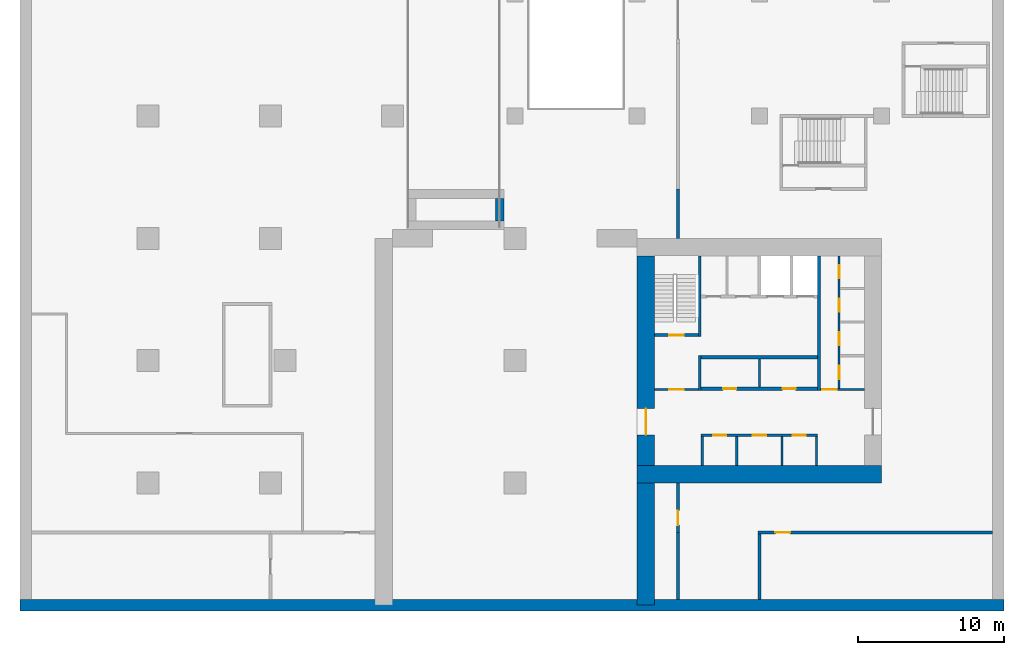
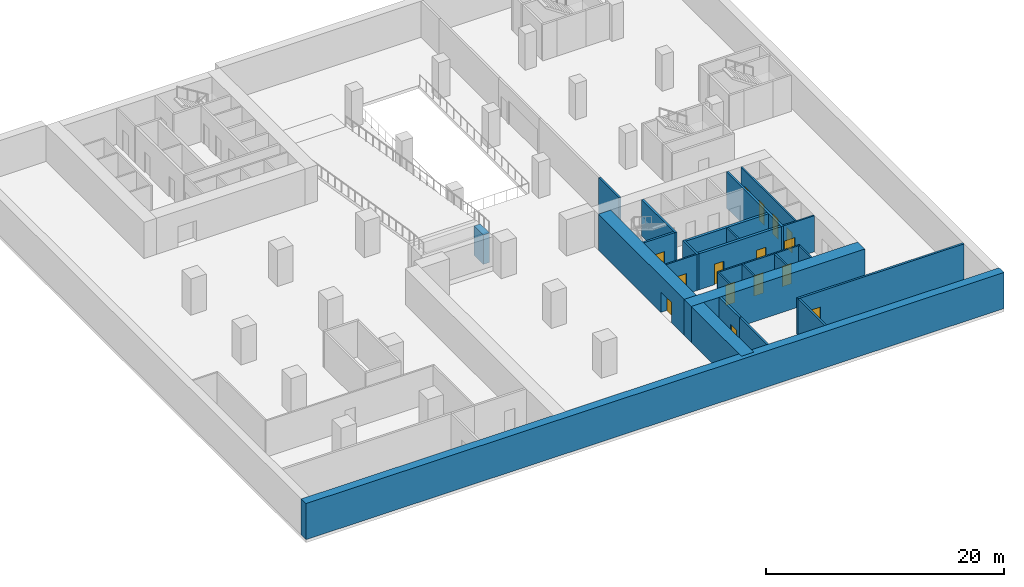
# One storey, part 3 of 7: 25 walls, 15 doors, 15 openings.
"""IFC4 building model written with IfcOpenShell, lengths in metres."""

from ifc_helpers import new_model, si_unit, direction, frame, frame_2d, origin, place, context, subcontext, project, spatial, rectangle, extrude, material, layer, layer_set, type_object, element, fill, save


model = new_model("IFC4")

# Units and contexts
model_context = context("Model", 3, precision=1e-05, world=origin(), true_north=direction((0.0, 1.0)))
body_context = subcontext(model_context, "Body", "Model", "MODEL_VIEW")
ifc_project = project(units=[si_unit("LENGTHUNIT", "METRE"), si_unit("AREAUNIT", "SQUARE_METRE"), si_unit("VOLUMEUNIT", "CUBIC_METRE"), si_unit("PLANEANGLEUNIT", "RADIAN"), si_unit("MASSUNIT", "GRAM", prefix="KILO")], contexts=[model_context])

# Site, building, storey
site_placement = place(None, origin())
site = spatial("IfcSite", under=ifc_project, at=site_placement, CompositionType="ELEMENT")
building_placement = place(site_placement, origin())
building = spatial("IfcBuilding", under=site, at=building_placement, Name="Vermilion Gate Residences", CompositionType="ELEMENT")
storey_placement = place(building_placement, frame((0.0, 0.0, -12.0)))
storey = spatial("IfcBuildingStorey", under=building, at=storey_placement, Name="B3", CompositionType="ELEMENT", Elevation=-12.0)

# Walls
ifc_material_1 = material(Name="Masonry blockwork", Category="masonry")
ifc_layer_1 = layer(ifc_material_1, 0.14990234375)
ifc_layer_set_1 = layer_set([ifc_layer_1], Name="BLOCKWORK PARTITION 150 EI 120")
wall_type_1 = type_object("IfcWallType", Name="BLOCKWORK PARTITION 150 EI 120", PredefinedType="PARTITIONING", material=ifc_layer_set_1)
for number, where, z_axis, x_axis, name in (
    (1, (46.47509765625, 9.60009765625, 0.0), (0.0, 0.0, 1.0), (0.0, 1.0, 0.0), "Core room partition AB3-RW-W"),
    (2, (54.324951171875, 9.60009765625, 0.0), (0.0, 0.0, 1.0), (0.0, 1.0, 0.0), "Core room partition AB3-RW-E"),
    (3, (48.844970703125, 9.60009765625, 0.0), (0.0, 0.0, 1.0), (0.0, 1.0, 0.0), "Core room partition AB3-SR-P0"),
    (4, (51.955078125, 9.60009765625, 0.0), (0.0, 0.0, 1.0), (0.0, 1.0, 0.0), "Core room partition AB3-SR-P1"),
):
    element("IfcWall", number, at=place(storey_placement, frame(where, z_axis=z_axis, x_axis=x_axis)), inside=storey, type_object=wall_type_1, Name=name, PredefinedType="PARTITIONING", context=body_context, shape_type="SweptSolid", body=[
        extrude(rectangle(XDim=2.0, YDim=0.14990234375, at=frame_2d((1.0, 0.0))), origin(), (0.0, 0.0, 1.0), 3.699951171875),
    ])

# Wall, openings, doors
wall_1_placement = place(storey_placement, frame((46.39990234375, 11.675048828125, 0.0), z_axis=(0.0, 0.0, 1.0), x_axis=(1.0, 0.0, 0.0)))
wall_1 = element("IfcWall", 5, at=wall_1_placement, inside=storey, type_object=wall_type_1, Name="Core room partition AB3-LR-F", PredefinedType="PARTITIONING", context=body_context, shape_type="SweptSolid", body=[
    extrude(rectangle(XDim=8.0, YDim=0.14990234375, at=frame_2d((4.0, 0.0))), origin(), (0.0, 0.0, 1.0), 3.699951171875),
])
opening_1_placement = place(wall_1_placement, frame((0.81005859375, 0.0, 0.0)))
opening_1 = element("IfcOpeningElement", 6, at=opening_1_placement, cuts=wall_1, Name="Opening DKB3003", PredefinedType="OPENING", context=body_context, shape_type="SweptSolid", body=[
    extrude(rectangle(XDim=0.89990234375, YDim=2.10009765625, at=frame_2d((0.449951171875, 1.050048828125))), frame((0.0, 0.0849609375, 0.0), z_axis=(0.0, -1.0, 0.0), x_axis=(1.0, 0.0, 0.0)), (0.0, 0.0, 1.0), 0.169921875),
])
opening_2_placement = place(wall_1_placement, frame((3.550048828125, 0.0, 0.0)))
opening_2 = element("IfcOpeningElement", 7, at=opening_2_placement, cuts=wall_1, Name="Opening DKB3004", PredefinedType="OPENING", context=body_context, shape_type="SweptSolid", body=[
    extrude(rectangle(XDim=0.89990234375, YDim=2.10009765625, at=frame_2d((0.449951171875, 1.050048828125))), frame((0.0, 0.0849609375, 0.0), z_axis=(0.0, -1.0, 0.0), x_axis=(1.0, 0.0, 0.0)), (0.0, 0.0, 1.0), 0.169921875),
])
opening_3_placement = place(wall_1_placement, frame((6.2900390625, 0.0, 0.0)))
opening_3 = element("IfcOpeningElement", 8, at=opening_3_placement, cuts=wall_1, Name="Opening DKB3005", PredefinedType="OPENING", context=body_context, shape_type="SweptSolid", body=[
    extrude(rectangle(XDim=0.89990234375, YDim=2.10009765625, at=frame_2d((0.449951171875, 1.050048828125))), frame((0.0, 0.0849609375, 0.0), z_axis=(0.0, -1.0, 0.0), x_axis=(1.0, 0.0, 0.0)), (0.0, 0.0, 1.0), 0.169921875),
])
ifc_material_2 = material(Name="Steel", Category="steel")
door_type_1 = type_object("IfcDoorType", Name="SERVICE ROOM DOOR FD60 900 X 2100", OperationType="SINGLE_SWING_LEFT", PredefinedType="DOOR", material=ifc_material_2)
door_1_placement = place(opening_1_placement, frame((0.89990234375, 0.0, 0.0), z_axis=(0.0, 0.0, 1.0), x_axis=(-1.0, 0.0, 0.0)))
door_1 = element("IfcDoor", 9, at=door_1_placement, inside=storey, type_object=door_type_1, Name="Housekeeping store AB3", OperationType="SINGLE_SWING_RIGHT", OverallHeight=2.10009765625, OverallWidth=0.89990234375, PredefinedType="DOOR", context=body_context, shape_type="SweptSolid", body=[
    extrude(rectangle(XDim=0.89990234375, YDim=2.10009765625, at=frame_2d((0.449951171875, 1.050048828125))), frame((0.0, 0.02490234375, 0.0), z_axis=(0.0, -1.0, 0.0), x_axis=(1.0, 0.0, 0.0)), (0.0, 0.0, 1.0), 0.050048828125),
])
fill(opening_1, door_1)
door_2_placement = place(opening_2_placement, frame((0.89990234375, 0.0, 0.0), z_axis=(0.0, 0.0, 1.0), x_axis=(-1.0, 0.0, 0.0)))
door_2 = element("IfcDoor", 10, at=door_2_placement, inside=storey, type_object=door_type_1, Name="Fire equipment store AB3", OperationType="SINGLE_SWING_RIGHT", OverallHeight=2.10009765625, OverallWidth=0.89990234375, PredefinedType="DOOR", context=body_context, shape_type="SweptSolid", body=[
    extrude(rectangle(XDim=0.89990234375, YDim=2.10009765625, at=frame_2d((0.449951171875, 1.050048828125))), frame((0.0, 0.02490234375, 0.0), z_axis=(0.0, -1.0, 0.0), x_axis=(1.0, 0.0, 0.0)), (0.0, 0.0, 1.0), 0.050048828125),
])
fill(opening_2, door_2)
door_3_placement = place(opening_3_placement, frame((0.89990234375, 0.0, 0.0), z_axis=(0.0, 0.0, 1.0), x_axis=(-1.0, 0.0, 0.0)))
door_3 = element("IfcDoor", 11, at=door_3_placement, inside=storey, type_object=door_type_1, Name="Mail room AB3", OperationType="SINGLE_SWING_RIGHT", OverallHeight=2.10009765625, OverallWidth=0.89990234375, PredefinedType="DOOR", context=body_context, shape_type="SweptSolid", body=[
    extrude(rectangle(XDim=0.89990234375, YDim=2.10009765625, at=frame_2d((0.449951171875, 1.050048828125))), frame((0.0, 0.02490234375, 0.0), z_axis=(0.0, -1.0, 0.0), x_axis=(1.0, 0.0, 0.0)), (0.0, 0.0, 1.0), 0.050048828125),
])
fill(opening_3, door_3)

# Wall
wall_2_placement = place(storey_placement, frame((50.39990234375, 15.0, 0.0), z_axis=(0.0, 0.0, 1.0), x_axis=(0.0, 1.0, 0.0)))
element("IfcWall", 12, at=wall_2_placement, inside=storey, type_object=wall_type_1, Name="Core room partition AB3-HR-P0", PredefinedType="PARTITIONING", context=body_context, shape_type="SweptSolid", body=[
    extrude(rectangle(XDim=1.89990234375, YDim=0.14990234375, at=frame_2d((0.949951171875, 0.0))), origin(), (0.0, 0.0, 1.0), 3.699951171875),
])

# Wall, opening, door
wall_3_placement = place(storey_placement, frame((43.199951171875, 14.824951171875, 0.0), z_axis=(0.0, 0.0, 1.0), x_axis=(1.0, 0.0, 0.0)))
wall_3 = element("IfcWall", 13, at=wall_3_placement, inside=storey, type_object=wall_type_1, Name="Core room partition AB3-VW-S", PredefinedType="PARTITIONING", context=body_context, shape_type="SweptSolid", body=[
    extrude(rectangle(XDim=3.0, YDim=0.14990234375, at=frame_2d((1.5, 0.0))), origin(), (0.0, 0.0, 1.0), 3.699951171875),
])
opening_4_placement = place(wall_3_placement, frame((1.0, 0.0, 0.0)))
opening_4 = element("IfcOpeningElement", 14, at=opening_4_placement, cuts=wall_3, Name="Opening DKB3012", PredefinedType="OPENING", context=body_context, shape_type="SweptSolid", body=[
    extrude(rectangle(XDim=1.0, YDim=2.10009765625, at=frame_2d((0.5, 1.050048828125))), frame((0.0, 0.0849609375, 0.0), z_axis=(0.0, -1.0, 0.0), x_axis=(1.0, 0.0, 0.0)), (0.0, 0.0, 1.0), 0.169921875),
])
ifc_material_3 = material(Name="Steel", Category="steel")
door_type_2 = type_object("IfcDoorType", Name="FIRE DOOR FD60 1000 X 2100", OperationType="SINGLE_SWING_LEFT", PredefinedType="DOOR", material=ifc_material_3)
door_4_placement = place(opening_4_placement, frame((1.0, 0.0, 0.0), z_axis=(0.0, 0.0, 1.0), x_axis=(-1.0, 0.0, 0.0)))
door_4 = element("IfcDoor", 15, at=door_4_placement, inside=storey, type_object=door_type_2, Name="Stair vestibule door AB3", OperationType="SINGLE_SWING_RIGHT", OverallHeight=2.10009765625, OverallWidth=1.0, PredefinedType="DOOR", context=body_context, shape_type="SweptSolid", body=[
    extrude(rectangle(XDim=1.0, YDim=2.10009765625, at=frame_2d((0.5, 1.050048828125))), frame((0.0, 0.02490234375, 0.0), z_axis=(0.0, -1.0, 0.0), x_axis=(1.0, 0.0, 0.0)), (0.0, 0.0, 1.0), 0.050048828125),
])
fill(opening_4, door_4)

wall_4_placement = place(storey_placement, frame((54.60009765625, 14.824951171875, 0.0), z_axis=(0.0, 0.0, 1.0), x_axis=(1.0, 0.0, 0.0)))
wall_4 = element("IfcWall", 16, at=wall_4_placement, inside=storey, type_object=wall_type_1, Name="Core room partition AB3-ES-S", PredefinedType="PARTITIONING", context=body_context, shape_type="SweptSolid", body=[
    extrude(rectangle(XDim=3.0, YDim=0.14990234375, at=frame_2d((1.5, 0.0))), origin(), (0.0, 0.0, 1.0), 3.699951171875),
])
opening_5_placement = place(wall_4_placement, frame((0.10009765625, 0.0, 0.0)))
opening_5 = element("IfcOpeningElement", 17, at=opening_5_placement, cuts=wall_4, Name="Opening DKB3014", PredefinedType="OPENING", context=body_context, shape_type="SweptSolid", body=[
    extrude(rectangle(XDim=1.0, YDim=2.10009765625, at=frame_2d((0.5, 1.050048828125))), frame((0.0, 0.0849609375, 0.0), z_axis=(0.0, -1.0, 0.0), x_axis=(1.0, 0.0, 0.0)), (0.0, 0.0, 1.0), 0.169921875),
])
door_5_placement = place(opening_5_placement, frame((1.0, 0.0, 0.0), z_axis=(0.0, 0.0, 1.0), x_axis=(-1.0, 0.0, 0.0)))
door_5 = element("IfcDoor", 18, at=door_5_placement, inside=storey, type_object=door_type_2, Name="Service corridor door AB3", OperationType="SINGLE_SWING_LEFT", OverallHeight=2.10009765625, OverallWidth=1.0, PredefinedType="DOOR", context=body_context, shape_type="SweptSolid", body=[
    extrude(rectangle(XDim=1.0, YDim=2.10009765625, at=frame_2d((0.5, 1.050048828125))), frame((0.0, 0.02490234375, 0.0), z_axis=(0.0, -1.0, 0.0), x_axis=(1.0, 0.0, 0.0)), (0.0, 0.0, 1.0), 0.050048828125),
])
fill(opening_5, door_5)

# Wall, openings, doors
wall_5_placement = place(storey_placement, frame((55.875, 14.89990234375, 0.0), z_axis=(0.0, 0.0, 1.0), x_axis=(0.0, 1.0, 0.0)))
wall_5 = element("IfcWall", 19, at=wall_5_placement, inside=storey, type_object=wall_type_1, Name="Core room partition AB3-ES-W", PredefinedType="PARTITIONING", context=body_context, shape_type="SweptSolid", body=[
    extrude(rectangle(XDim=9.10009765625, YDim=0.14990234375, at=frame_2d((4.550048828125, 0.0))), origin(), (0.0, 0.0, 1.0), 3.699951171875),
])
opening_6_placement = place(wall_5_placement, frame((0.63134765625, 0.0, 0.0)))
opening_6 = element("IfcOpeningElement", 20, at=opening_6_placement, cuts=wall_5, Name="Opening DKB3015", PredefinedType="OPENING", context=body_context, shape_type="SweptSolid", body=[
    extrude(rectangle(XDim=0.89990234375, YDim=2.10009765625, at=frame_2d((0.449951171875, 1.050048828125))), frame((0.0, 0.0849609375, 0.0), z_axis=(0.0, -1.0, 0.0), x_axis=(1.0, 0.0, 0.0)), (0.0, 0.0, 1.0), 0.169921875),
])
opening_7_placement = place(wall_5_placement, frame((2.94384765625, 0.0, 0.0)))
opening_7 = element("IfcOpeningElement", 21, at=opening_7_placement, cuts=wall_5, Name="Opening DKB3016", PredefinedType="OPENING", context=body_context, shape_type="SweptSolid", body=[
    extrude(rectangle(XDim=0.89990234375, YDim=2.10009765625, at=frame_2d((0.449951171875, 1.050048828125))), frame((0.0, 0.0849609375, 0.0), z_axis=(0.0, -1.0, 0.0), x_axis=(1.0, 0.0, 0.0)), (0.0, 0.0, 1.0), 0.169921875),
])
opening_8_placement = place(wall_5_placement, frame((5.25634765625, 0.0, 0.0)))
opening_8 = element("IfcOpeningElement", 22, at=opening_8_placement, cuts=wall_5, Name="Opening DKB3017", PredefinedType="OPENING", context=body_context, shape_type="SweptSolid", body=[
    extrude(rectangle(XDim=0.89990234375, YDim=2.10009765625, at=frame_2d((0.449951171875, 1.050048828125))), frame((0.0, 0.0849609375, 0.0), z_axis=(0.0, -1.0, 0.0), x_axis=(1.0, 0.0, 0.0)), (0.0, 0.0, 1.0), 0.169921875),
])
opening_9_placement = place(wall_5_placement, frame((7.56884765625, 0.0, 0.0)))
opening_9 = element("IfcOpeningElement", 23, at=opening_9_placement, cuts=wall_5, Name="Opening DKB3018", PredefinedType="OPENING", context=body_context, shape_type="SweptSolid", body=[
    extrude(rectangle(XDim=0.89990234375, YDim=2.10009765625, at=frame_2d((0.449951171875, 1.050048828125))), frame((0.0, 0.0849609375, 0.0), z_axis=(0.0, -1.0, 0.0), x_axis=(1.0, 0.0, 0.0)), (0.0, 0.0, 1.0), 0.169921875),
])
door_6_placement = place(opening_6_placement, frame((0.89990234375, 0.0, 0.0), z_axis=(0.0, 0.0, 1.0), x_axis=(-1.0, 0.0, 0.0)))
door_6 = element("IfcDoor", 24, at=door_6_placement, inside=storey, type_object=door_type_1, Name="Electrical room AB3", OperationType="SINGLE_SWING_RIGHT", OverallHeight=2.10009765625, OverallWidth=0.89990234375, PredefinedType="DOOR", context=body_context, shape_type="SweptSolid", body=[
    extrude(rectangle(XDim=0.89990234375, YDim=2.10009765625, at=frame_2d((0.449951171875, 1.050048828125))), frame((0.0, 0.02490234375, 0.0), z_axis=(0.0, -1.0, 0.0), x_axis=(1.0, 0.0, 0.0)), (0.0, 0.0, 1.0), 0.050048828125),
])
fill(opening_6, door_6)
door_7_placement = place(opening_7_placement, frame((0.89990234375, 0.0, 0.0), z_axis=(0.0, 0.0, 1.0), x_axis=(-1.0, 0.0, 0.0)))
door_7 = element("IfcDoor", 25, at=door_7_placement, inside=storey, type_object=door_type_1, Name="Storage room AB3", OperationType="SINGLE_SWING_RIGHT", OverallHeight=2.10009765625, OverallWidth=0.89990234375, PredefinedType="DOOR", context=body_context, shape_type="SweptSolid", body=[
    extrude(rectangle(XDim=0.89990234375, YDim=2.10009765625, at=frame_2d((0.449951171875, 1.050048828125))), frame((0.0, 0.02490234375, 0.0), z_axis=(0.0, -1.0, 0.0), x_axis=(1.0, 0.0, 0.0)), (0.0, 0.0, 1.0), 0.050048828125),
])
fill(opening_7, door_7)
door_8_placement = place(opening_8_placement, frame((0.89990234375, 0.0, 0.0), z_axis=(0.0, 0.0, 1.0), x_axis=(-1.0, 0.0, 0.0)))
door_8 = element("IfcDoor", 26, at=door_8_placement, inside=storey, type_object=door_type_1, Name="Storage room AB3", OperationType="SINGLE_SWING_RIGHT", OverallHeight=2.10009765625, OverallWidth=0.89990234375, PredefinedType="DOOR", context=body_context, shape_type="SweptSolid", body=[
    extrude(rectangle(XDim=0.89990234375, YDim=2.10009765625, at=frame_2d((0.449951171875, 1.050048828125))), frame((0.0, 0.02490234375, 0.0), z_axis=(0.0, -1.0, 0.0), x_axis=(1.0, 0.0, 0.0)), (0.0, 0.0, 1.0), 0.050048828125),
])
fill(opening_8, door_8)
door_9_placement = place(opening_9_placement, frame((0.89990234375, 0.0, 0.0), z_axis=(0.0, 0.0, 1.0), x_axis=(-1.0, 0.0, 0.0)))
door_9 = element("IfcDoor", 27, at=door_9_placement, inside=storey, type_object=door_type_1, Name="Communications room AB3", OperationType="SINGLE_SWING_RIGHT", OverallHeight=2.10009765625, OverallWidth=0.89990234375, PredefinedType="DOOR", context=body_context, shape_type="SweptSolid", body=[
    extrude(rectangle(XDim=0.89990234375, YDim=2.10009765625, at=frame_2d((0.449951171875, 1.050048828125))), frame((0.0, 0.02490234375, 0.0), z_axis=(0.0, -1.0, 0.0), x_axis=(1.0, 0.0, 0.0)), (0.0, 0.0, 1.0), 0.050048828125),
])
fill(opening_9, door_9)

# Wall
ifc_material_4 = material(Name="Concrete blockwork", Category="masonry")
ifc_layer_2 = layer(ifc_material_4, 0.199951171875)
ifc_layer_set_2 = layer_set([ifc_layer_2], Name="FIRE WALL 200 EI 120 (AMENITY)")
wall_type_2 = type_object("IfcWallType", Name="FIRE WALL 200 EI 120 (AMENITY)", PredefinedType="PARTITIONING", material=ifc_layer_set_2)
wall_6_placement = place(storey_placement, frame((50.39990234375, 0.39990234375, 0.0), z_axis=(0.0, 0.0, 1.0), x_axis=(0.0, 1.0, 0.0)))
element("IfcWall", 28, at=wall_6_placement, inside=storey, type_object=wall_type_2, Name="Fire-resisting wall 9", PredefinedType="PARTITIONING", context=body_context, shape_type="SweptSolid", body=[
    extrude(rectangle(XDim=4.5, YDim=0.199951171875, at=frame_2d((2.25, 0.0))), origin(), (0.0, 0.0, 1.0), 3.699951171875),
])

# Wall, opening, door
wall_7_placement = place(storey_placement, frame((50.300048828125, 5.0, 0.0), z_axis=(0.0, 0.0, 1.0), x_axis=(1.0, 0.0, 0.0)))
wall_7 = element("IfcWall", 29, at=wall_7_placement, inside=storey, type_object=wall_type_2, Name="Fire-resisting wall 10", PredefinedType="PARTITIONING", context=body_context, shape_type="SweptSolid", body=[
    extrude(rectangle(XDim=16.099853515625, YDim=0.199951171875, at=frame_2d((8.0498046875, 0.0))), origin(), (0.0, 0.0, 1.0), 3.699951171875),
])
opening_10_placement = place(wall_7_placement, frame((1.199951171875, 0.0, 0.0)))
opening_10 = element("IfcOpeningElement", 30, at=opening_10_placement, cuts=wall_7, Name="Opening DMB3003", PredefinedType="OPENING", context=body_context, shape_type="SweptSolid", body=[
    extrude(rectangle(XDim=1.0, YDim=2.10009765625, at=frame_2d((0.5, 1.050048828125))), frame((0.0, 0.10986328125, 0.0), z_axis=(0.0, -1.0, 0.0), x_axis=(1.0, 0.0, 0.0)), (0.0, 0.0, 1.0), 0.219970703125),
])
ifc_material_5 = material(Name="Steel", Category="steel")
door_type_3 = type_object("IfcDoorType", Name="DOOR 1000 X 2100 FD60 (AMENITY)", OperationType="SINGLE_SWING_LEFT", PredefinedType="DOOR", material=ifc_material_5)
door_10_placement = place(opening_10_placement, origin())
door_10 = element("IfcDoor", 31, at=door_10_placement, inside=storey, type_object=door_type_3, Name="Door B3 3", OperationType="SINGLE_SWING_LEFT", OverallHeight=2.10009765625, OverallWidth=1.0, PredefinedType="DOOR", context=body_context, shape_type="SweptSolid", body=[
    extrude(rectangle(XDim=1.0, YDim=2.10009765625, at=frame_2d((0.5, 1.050048828125))), frame((0.0, 0.02490234375, 0.0), z_axis=(0.0, -1.0, 0.0), x_axis=(1.0, 0.0, 0.0)), (0.0, 0.0, 1.0), 0.050048828125),
])
fill(opening_10, door_10)

# Wall
ifc_material_6 = material(Name="Concrete blockwork", Category="masonry")
ifc_layer_3 = layer(ifc_material_6, 0.199951171875)
ifc_layer_set_3 = layer_set([ifc_layer_3], Name="GARAGE FIRE WALL 200 EI 120 (AMENITY)")
wall_type_3 = type_object("IfcWallType", Name="GARAGE FIRE WALL 200 EI 120 (AMENITY)", PredefinedType="PARTITIONING", material=ifc_layer_set_3)
wall_8_placement = place(storey_placement, frame((44.800048828125, 0.39990234375, 0.0), z_axis=(0.0, 0.0, 1.0), x_axis=(0.0, 1.0, 0.0)))
element("IfcWall", 32, at=wall_8_placement, inside=storey, type_object=wall_type_3, Name="Fire compartment wall", PredefinedType="PARTITIONING", context=body_context, shape_type="SweptSolid", body=[
    extrude(rectangle(XDim=4.60009765625, YDim=0.199951171875, at=frame_2d((2.300048828125, 0.0))), origin(), (0.0, 0.0, 1.0), 3.699951171875),
])

# Wall, opening, door
wall_9_placement = place(storey_placement, frame((44.800048828125, 5.0, 0.0), z_axis=(0.0, 0.0, 1.0), x_axis=(0.0, 1.0, 0.0)))
wall_9 = element("IfcWall", 33, at=wall_9_placement, inside=storey, type_object=wall_type_3, Name="Fire compartment wall", PredefinedType="PARTITIONING", context=body_context, shape_type="SweptSolid", body=[
    extrude(rectangle(XDim=3.39990234375, YDim=0.199951171875, at=frame_2d((1.699951171875, 0.0))), origin(), (0.0, 0.0, 1.0), 3.699951171875),
])
opening_11_placement = place(wall_9_placement, frame((0.5, 0.0, 0.0)))
opening_11 = element("IfcOpeningElement", 34, at=opening_11_placement, cuts=wall_9, Name="Opening DGB3090", PredefinedType="OPENING", context=body_context, shape_type="SweptSolid", body=[
    extrude(rectangle(XDim=1.0, YDim=2.10009765625, at=frame_2d((0.5, 1.050048828125))), frame((0.0, 0.10986328125, 0.0), z_axis=(0.0, -1.0, 0.0), x_axis=(1.0, 0.0, 0.0)), (0.0, 0.0, 1.0), 0.219970703125),
])
ifc_material_7 = material(Name="Steel", Category="steel")
door_type_4 = type_object("IfcDoorType", Name="DOOR 1000 X 2100 FD120 (AMENITY)", OperationType="SINGLE_SWING_LEFT", PredefinedType="DOOR", material=ifc_material_7)
door_11_placement = place(opening_11_placement, origin())
door_11 = element("IfcDoor", 35, at=door_11_placement, inside=storey, type_object=door_type_4, Name="Fire door", OperationType="SINGLE_SWING_RIGHT", OverallHeight=2.10009765625, OverallWidth=1.0, PredefinedType="DOOR", context=body_context, shape_type="SweptSolid", body=[
    extrude(rectangle(XDim=1.0, YDim=2.10009765625, at=frame_2d((0.5, 1.050048828125))), frame((0.0, 0.02490234375, 0.0), z_axis=(0.0, -1.0, 0.0), x_axis=(1.0, 0.0, 0.0)), (0.0, 0.0, 1.0), 0.050048828125),
])
fill(opening_11, door_11)

# Walls
wall_10_placement = place(storey_placement, frame((44.800048828125, 25.199951171875, 0.0), z_axis=(0.0, 0.0, 1.0), x_axis=(0.0, 1.0, 0.0)))
element("IfcWall", 36, at=wall_10_placement, inside=storey, type_object=wall_type_3, Name="Fire compartment wall", PredefinedType="PARTITIONING", context=body_context, shape_type="SweptSolid", body=[
    extrude(rectangle(XDim=3.400146484375, YDim=0.199951171875, at=frame_2d((1.7001953125, 0.0))), origin(), (0.0, 0.0, 1.0), 3.699951171875),
])
ifc_material_8 = material(Name="Concrete C40", Category="concrete")
ifc_layer_4 = layer(ifc_material_8, 0.60009765625)
ifc_layer_set_4 = layer_set([ifc_layer_4], Name="RAMP ABUTMENT WALL 600 (AMENITY)")
wall_type_4 = type_object("IfcWallType", Name="RAMP ABUTMENT WALL 600 (AMENITY)", PredefinedType="SOLIDWALL", material=ifc_layer_set_4)
wall_11_placement = place(storey_placement, frame((32.550048828125, 26.39990234375, 0.5), z_axis=(0.0, 0.0, 1.0), x_axis=(0.0, 1.0, 0.0)))
element("IfcWall", 37, at=wall_11_placement, inside=storey, type_object=wall_type_4, Name="Ramp 3 abutment east wing wall", PredefinedType="SOLIDWALL", context=body_context, shape_type="SweptSolid", body=[
    extrude(rectangle(XDim=1.550048828125, YDim=0.60009765625, at=frame_2d((0.77490234375, 0.0))), origin(), (0.0, 0.0, 1.0), 3.02001953125),
])
ifc_material_9 = material(Name="Concrete C60", Category="concrete")
ifc_layer_5 = layer(ifc_material_9, 0.199951171875)
ifc_layer_set_5 = layer_set([ifc_layer_5], Name="RC CORE INTERNAL WALL 200 C60")
wall_type_5 = type_object("IfcWallType", Name="RC CORE INTERNAL WALL 200 C60", PredefinedType="SHEAR", material=ifc_layer_set_5)
wall_12_placement = place(storey_placement, frame((46.300048828125, 14.75, 0.0), z_axis=(0.0, 0.0, 1.0), x_axis=(0.0, 1.0, 0.0)))
element("IfcWall", 38, at=wall_12_placement, inside=storey, type_object=wall_type_5, Name="Core internal wall AB3-WDIV1", PredefinedType="SHEAR", context=body_context, shape_type="SweptSolid", body=[
    extrude(rectangle(XDim=2.39990234375, YDim=0.199951171875, at=frame_2d((1.199951171875, 0.0))), origin(), (0.0, 0.0, 1.0), 3.699951171875),
])
wall_13_placement = place(storey_placement, frame((46.300048828125, 18.449951171875, 0.0), z_axis=(0.0, 0.0, 1.0), x_axis=(0.0, 1.0, 0.0)))
element("IfcWall", 39, at=wall_13_placement, inside=storey, type_object=wall_type_5, Name="Core internal wall AB3-WDIV2", PredefinedType="SHEAR", context=body_context, shape_type="SweptSolid", body=[
    extrude(rectangle(XDim=5.550048828125, YDim=0.199951171875, at=frame_2d((2.77490234375, 0.0))), origin(), (0.0, 0.0, 1.0), 3.699951171875),
])

# Wall, opening, door
wall_14_placement = place(storey_placement, frame((43.199951171875, 18.550048828125, 0.0), z_axis=(0.0, 0.0, 1.0), x_axis=(1.0, 0.0, 0.0)))
wall_14 = element("IfcWall", 40, at=wall_14_placement, inside=storey, type_object=wall_type_5, Name="Core internal wall AB3-STW-S", PredefinedType="SHEAR", context=body_context, shape_type="SweptSolid", body=[
    extrude(rectangle(XDim=3.0, YDim=0.199951171875, at=frame_2d((1.5, 0.0))), origin(), (0.0, 0.0, 1.0), 3.699951171875),
])
opening_12_placement = place(wall_14_placement, frame((1.0, 0.0, 0.0)))
opening_12 = element("IfcOpeningElement", 41, at=opening_12_placement, cuts=wall_14, Name="Opening DKB3013", PredefinedType="OPENING", context=body_context, shape_type="SweptSolid", body=[
    extrude(rectangle(XDim=1.0, YDim=2.10009765625, at=frame_2d((0.5, 1.050048828125))), frame((0.0, 0.10986328125, 0.0), z_axis=(0.0, -1.0, 0.0), x_axis=(1.0, 0.0, 0.0)), (0.0, 0.0, 1.0), 0.219970703125),
])
door_12_placement = place(opening_12_placement, origin())
door_12 = element("IfcDoor", 42, at=door_12_placement, inside=storey, type_object=door_type_2, Name="Stair door AB3", OperationType="SINGLE_SWING_LEFT", OverallHeight=2.10009765625, OverallWidth=1.0, PredefinedType="DOOR", context=body_context, shape_type="SweptSolid", body=[
    extrude(rectangle(XDim=1.0, YDim=2.10009765625, at=frame_2d((0.5, 1.050048828125))), frame((0.0, 0.02490234375, 0.0), z_axis=(0.0, -1.0, 0.0), x_axis=(1.0, 0.0, 0.0)), (0.0, 0.0, 1.0), 0.050048828125),
])
fill(opening_12, door_12)

# Walls
wall_15_placement = place(storey_placement, frame((54.5, 14.75, 0.0), z_axis=(0.0, 0.0, 1.0), x_axis=(0.0, 1.0, 0.0)))
element("IfcWall", 43, at=wall_15_placement, inside=storey, type_object=wall_type_5, Name="Core internal wall AB3-EDIV", PredefinedType="SHEAR", context=body_context, shape_type="SweptSolid", body=[
    extrude(rectangle(XDim=9.25, YDim=0.199951171875, at=frame_2d((4.625, 0.0))), origin(), (0.0, 0.0, 1.0), 3.699951171875),
])
ifc_material_10 = material(Name="Concrete C80", Category="concrete")
ifc_layer_6 = layer(ifc_material_10, 1.199951171875)
ifc_layer_set_6 = layer_set([ifc_layer_6], Name="RC CORE WALL 1200 C80")
wall_type_6 = type_object("IfcWallType", Name="RC CORE WALL 1200 C80", PredefinedType="SHEAR", material=ifc_layer_set_6)
wall_16_placement = place(storey_placement, frame((42.0, 9.0, 0.0), z_axis=(0.0, 0.0, 1.0), x_axis=(1.0, 0.0, 0.0)))
element("IfcWall", 44, at=wall_16_placement, inside=storey, type_object=wall_type_6, Name="Core wall AB3-OUT-B0", PredefinedType="SHEAR", context=body_context, shape_type="SweptSolid", body=[
    extrude(rectangle(XDim=16.800048828125, YDim=1.199951171875, at=frame_2d((8.39990234375, 0.0))), origin(), (0.0, 0.0, 1.0), 3.699951171875),
])

# Wall, opening, door
wall_17_placement = place(storey_placement, frame((42.60009765625, 9.60009765625, 0.0), z_axis=(0.0, 0.0, 1.0), x_axis=(0.0, 1.0, 0.0)))
wall_17 = element("IfcWall", 45, at=wall_17_placement, inside=storey, type_object=wall_type_6, Name="Core wall AB3-OUT-FR", PredefinedType="SHEAR", context=body_context, shape_type="SweptSolid", body=[
    extrude(rectangle(XDim=14.39990234375, YDim=1.199951171875, at=frame_2d((7.199951171875, 0.0))), origin(), (0.0, 0.0, 1.0), 3.699951171875),
])
opening_13_placement = place(wall_17_placement, frame((2.10009765625, 0.0, 0.0)))
opening_13 = element("IfcOpeningElement", 46, at=opening_13_placement, cuts=wall_17, Name="Opening DKB3001", PredefinedType="OPENING", context=body_context, shape_type="SweptSolid", body=[
    extrude(rectangle(XDim=1.800048828125, YDim=2.10009765625, at=frame_2d((0.89990234375, 1.050048828125))), frame((0.0, 0.60986328125, 0.0), z_axis=(0.0, -1.0, 0.0), x_axis=(1.0, 0.0, 0.0)), (0.0, 0.0, 1.0), 1.219970703125),
])
ifc_material_11 = material(Name="Steel", Category="steel")
door_type_5 = type_object("IfcDoorType", Name="CORE LOBBY DOOR FD60 1800 X 2100", OperationType="DOUBLE_DOOR_SINGLE_SWING", PredefinedType="DOOR", material=ifc_material_11)
door_13_placement = place(opening_13_placement, frame((1.800048828125, 0.0, 0.0), z_axis=(0.0, 0.0, 1.0), x_axis=(-1.0, 0.0, 0.0)))
door_13 = element("IfcDoor", 47, at=door_13_placement, inside=storey, type_object=door_type_5, Name="Core lobby door AB3", OperationType="DOUBLE_DOOR_SINGLE_SWING", OverallHeight=2.10009765625, OverallWidth=1.800048828125, PredefinedType="DOOR", context=body_context, shape_type="SweptSolid", body=[
    extrude(rectangle(XDim=1.800048828125, YDim=2.10009765625, at=frame_2d((0.89990234375, 1.050048828125))), frame((0.0, 0.02490234375, 0.0), z_axis=(0.0, -1.0, 0.0), x_axis=(1.0, 0.0, 0.0)), (0.0, 0.0, 1.0), 0.050048828125),
])
fill(opening_13, door_13)

# Walls
ifc_material_12 = material(Name="Concrete C40", Category="concrete")
ifc_layer_7 = layer(ifc_material_12, 0.800048828125)
ifc_layer_set_7 = layer_set([ifc_layer_7], Name="RC DIAPHRAGM WALL 800 C40")
wall_type_7 = type_object("IfcWallType", Name="RC DIAPHRAGM WALL 800 C40", PredefinedType="SOLIDWALL", material=ifc_layer_set_7)
wall_18_placement = place(storey_placement, frame((-0.39990234375, 0.0, 0.0), z_axis=(0.0, 0.0, 1.0), x_axis=(1.0, 0.0, 0.0)))
element("IfcWall", 48, at=wall_18_placement, inside=storey, type_object=wall_type_7, Name="Diaphragm wall B3 3", PredefinedType="SOLIDWALL", context=body_context, shape_type="SweptSolid", body=[
    extrude(rectangle(XDim=67.599853515625, YDim=0.800048828125, at=frame_2d((33.7998046875, 0.0))), origin(), (0.0, 0.0, 1.0), 3.699951171875),
])
ifc_material_13 = material(Name="Concrete C70", Category="concrete")
ifc_layer_8 = layer(ifc_material_13, 1.199951171875)
ifc_layer_set_8 = layer_set([ifc_layer_8], Name="RC GATE PIER WALL 1200 C70")
wall_type_8 = type_object("IfcWallType", Name="RC GATE PIER WALL 1200 C70", PredefinedType="SHEAR", material=ifc_layer_set_8)
wall_19_placement = place(storey_placement, frame((42.60009765625, 0.0, 0.0), z_axis=(0.0, 0.0, 1.0), x_axis=(0.0, 1.0, 0.0)))
element("IfcWall", 49, at=wall_19_placement, inside=storey, type_object=wall_type_8, Name="Gate pier wall E B3", PredefinedType="SHEAR", context=body_context, shape_type="SweptSolid", body=[
    extrude(rectangle(XDim=8.39990234375, YDim=1.199951171875, at=frame_2d((4.199951171875, 0.0))), origin(), (0.0, 0.0, 1.0), 3.699951171875),
])

# Wall, openings, doors
ifc_material_14 = material(Name="Concrete C60", Category="concrete")
ifc_layer_9 = layer(ifc_material_14, 0.25)
ifc_layer_set_9 = layer_set([ifc_layer_9], Name="RC LIFT SHAFT WALL 250 C60")
wall_type_9 = type_object("IfcWallType", Name="RC LIFT SHAFT WALL 250 C60", PredefinedType="SHEAR", material=ifc_layer_set_9)
wall_20_placement = place(storey_placement, frame((46.39990234375, 14.875, 0.0), z_axis=(0.0, 0.0, 1.0), x_axis=(1.0, 0.0, 0.0)))
wall_20 = element("IfcWall", 50, at=wall_20_placement, inside=storey, type_object=wall_type_9, Name="Lift shaft wall AB3-HR-F", PredefinedType="SHEAR", context=body_context, shape_type="SweptSolid", body=[
    extrude(rectangle(XDim=8.0, YDim=0.25, at=frame_2d((4.0, 0.0))), origin(), (0.0, 0.0, 1.0), 3.699951171875),
])
opening_14_placement = place(wall_20_placement, frame((1.512451171875, 0.0, 0.0)))
opening_14 = element("IfcOpeningElement", 51, at=opening_14_placement, cuts=wall_20, Name="Opening DKB3006", PredefinedType="OPENING", context=body_context, shape_type="SweptSolid", body=[
    extrude(rectangle(XDim=0.89990234375, YDim=2.10009765625, at=frame_2d((0.449951171875, 1.050048828125))), frame((0.0, 0.135009765625, 0.0), z_axis=(0.0, -1.0, 0.0), x_axis=(1.0, 0.0, 0.0)), (0.0, 0.0, 1.0), 0.27001953125),
])
opening_15_placement = place(wall_20_placement, frame((5.58740234375, 0.0, 0.0)))
opening_15 = element("IfcOpeningElement", 52, at=opening_15_placement, cuts=wall_20, Name="Opening DKB3007", PredefinedType="OPENING", context=body_context, shape_type="SweptSolid", body=[
    extrude(rectangle(XDim=0.89990234375, YDim=2.10009765625, at=frame_2d((0.449951171875, 1.050048828125))), frame((0.0, 0.135009765625, 0.0), z_axis=(0.0, -1.0, 0.0), x_axis=(1.0, 0.0, 0.0)), (0.0, 0.0, 1.0), 0.27001953125),
])
door_14_placement = place(opening_14_placement, frame((0.89990234375, 0.0, 0.0), z_axis=(0.0, 0.0, 1.0), x_axis=(-1.0, 0.0, 0.0)))
door_14 = element("IfcDoor", 53, at=door_14_placement, inside=storey, type_object=door_type_1, Name="Plant room AB3", OperationType="SINGLE_SWING_RIGHT", OverallHeight=2.10009765625, OverallWidth=0.89990234375, PredefinedType="DOOR", context=body_context, shape_type="SweptSolid", body=[
    extrude(rectangle(XDim=0.89990234375, YDim=2.10009765625, at=frame_2d((0.449951171875, 1.050048828125))), frame((0.0, 0.02490234375, 0.0), z_axis=(0.0, -1.0, 0.0), x_axis=(1.0, 0.0, 0.0)), (0.0, 0.0, 1.0), 0.050048828125),
])
fill(opening_14, door_14)
door_15_placement = place(opening_15_placement, frame((0.89990234375, 0.0, 0.0), z_axis=(0.0, 0.0, 1.0), x_axis=(-1.0, 0.0, 0.0)))
door_15 = element("IfcDoor", 54, at=door_15_placement, inside=storey, type_object=door_type_1, Name="Pump room AB3", OperationType="SINGLE_SWING_RIGHT", OverallHeight=2.10009765625, OverallWidth=0.89990234375, PredefinedType="DOOR", context=body_context, shape_type="SweptSolid", body=[
    extrude(rectangle(XDim=0.89990234375, YDim=2.10009765625, at=frame_2d((0.449951171875, 1.050048828125))), frame((0.0, 0.02490234375, 0.0), z_axis=(0.0, -1.0, 0.0), x_axis=(1.0, 0.0, 0.0)), (0.0, 0.0, 1.0), 0.050048828125),
])
fill(opening_15, door_15)

# Wall
wall_21_placement = place(storey_placement, frame((46.39990234375, 17.02490234375, 0.0), z_axis=(0.0, 0.0, 1.0), x_axis=(1.0, 0.0, 0.0)))
element("IfcWall", 55, at=wall_21_placement, inside=storey, type_object=wall_type_9, Name="Lift shaft wall AB3-HR-B", PredefinedType="SHEAR", context=body_context, shape_type="SweptSolid", body=[
    extrude(rectangle(XDim=8.0, YDim=0.25, at=frame_2d((4.0, 0.0))), origin(), (0.0, 0.0, 1.0), 3.699951171875),
])

save(model, "model.ifc")
